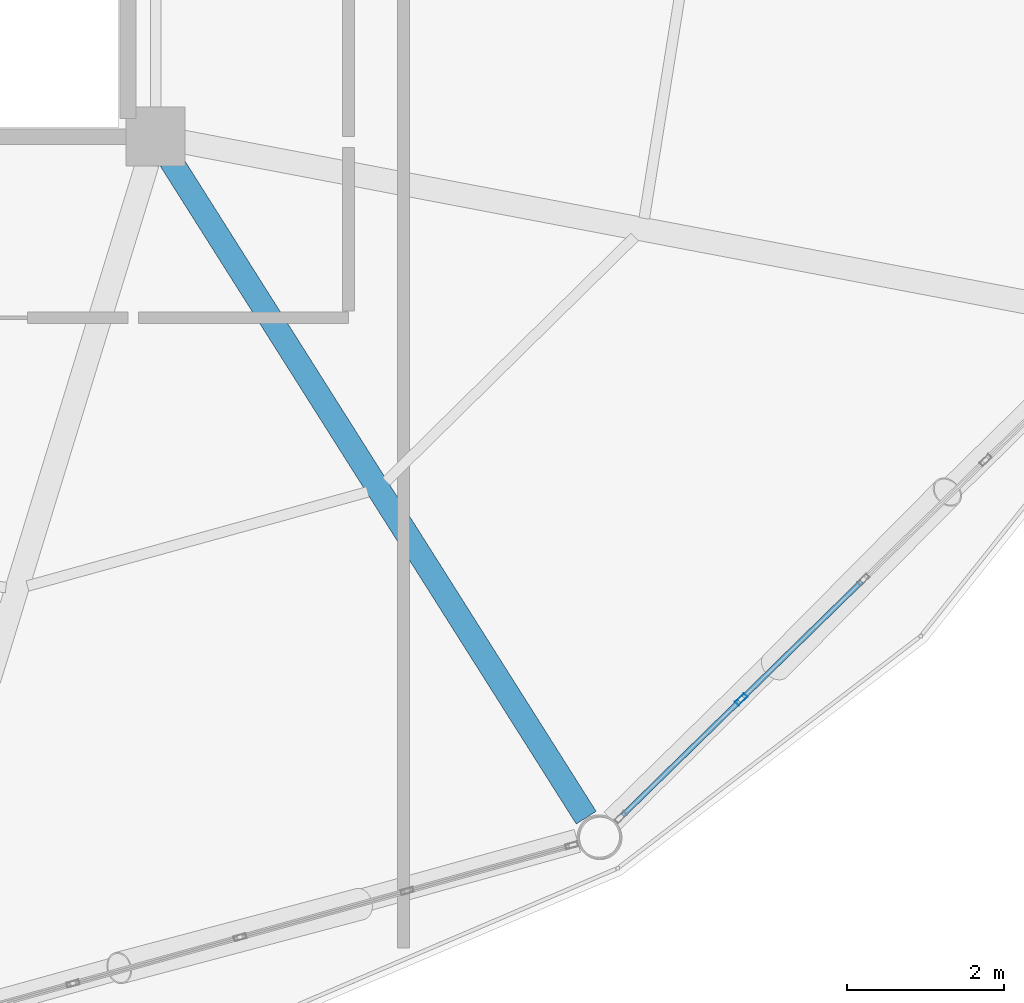
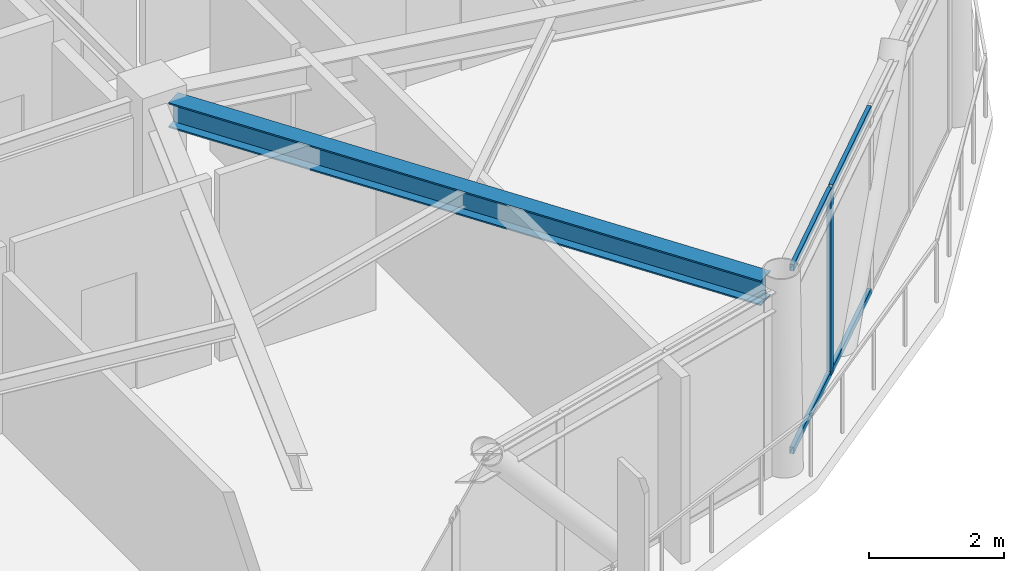
# One storey, part 7 of 25: 5 members, 1 beam, 1 element without a shape of its own.
"""IFC4 building model written with IfcOpenShell, lengths in metres."""

from ifc_helpers import new_model, si_unit, direction, frame, origin, origin_2d, place, context, subcontext, project, spatial, hollow_rectangle, i_section, extrude, material, layer, layer_set, material_profile, profile_set, type_object, element, aggregate, save


model = new_model("IFC4")

# Units and contexts
model_context = context("Model", 3, precision=1e-05, world=origin(), true_north=direction((0.0, 1.0)))
body_context = subcontext(model_context, "Body", "Model", "MODEL_VIEW")
ifc_project = project(units=[si_unit("LENGTHUNIT", "METRE"), si_unit("AREAUNIT", "SQUARE_METRE"), si_unit("VOLUMEUNIT", "CUBIC_METRE"), si_unit("PLANEANGLEUNIT", "RADIAN"), si_unit("MASSUNIT", "GRAM", prefix="KILO")], contexts=[model_context])

# Site, building, storey
site_placement = place(None, origin())
site = spatial("IfcSite", under=ifc_project, at=site_placement, CompositionType="ELEMENT")
building_placement = place(site_placement, origin())
building = spatial("IfcBuilding", under=site, at=building_placement, Name="Varnakorn Sky Granary", CompositionType="ELEMENT")
storey_placement = place(building_placement, frame((0.0, 0.0, 252.60009765625)))
storey = spatial("IfcBuildingStorey", under=building, at=storey_placement, Name="L64", CompositionType="ELEMENT", Elevation=252.60009765625)

# Beam
ifc_material_1 = material(Name="Steel S355JR", Category="steel")
ifc_material_profile_1 = material_profile(ifc_material_1, i_section(OverallWidth=0.300048828125, OverallDepth=0.449951171875, WebThickness=0.013916015625, FlangeThickness=0.02587890625, at=origin_2d()), Name="HE 450 B")
ifc_profile_set_1 = profile_set([ifc_material_profile_1], Name="Steel S355JR")
beam_type = type_object("IfcBeamType", Name="BM-RAD-Z5", PredefinedType="BEAM", material=ifc_profile_set_1)
beam_placement = place(storey_placement, frame((8.539794921875, -6.89990234375, 3.135009765625), z_axis=(0.534435371832, -0.845209342906, 0.0), x_axis=(0.845209342906, 0.534435371832, 0.0)))
element("IfcBeam", 1, at=beam_placement, inside=storey, type_object=beam_type, Name="Radial Floor Girder RG11 L64", PredefinedType="BEAM", context=body_context, shape_type="SweptSolid", body=[
    extrude(i_section(OverallWidth=0.300048828125, OverallDepth=0.449951171875, WebThickness=0.013916015625, FlangeThickness=0.02587890625, at=origin_2d()), origin(), (0.0, 0.0, 1.0), 9.8818359375),
])

# Curtain wall, members
ifc_material_2 = material(Name="Anodised Bronze Aluminium Alloy 6063-T6", Category="aluminium")
ifc_layer = layer(ifc_material_2, 0.159912109375, Name="Anodised Bronze Aluminium Alloy 6063-T6")
ifc_layer_set = layer_set([ifc_layer], Name="Anodised Bronze Aluminium Alloy 6063-T6")
curtain_wall_type = type_object("IfcCurtainWallType", Name="CW-OFF-1", PredefinedType="USERDEFINED", material=ifc_layer_set)
curtain_wall_placement = place(storey_placement, origin())
curtain_wall = element("IfcCurtainWall", 2, at=curtain_wall_placement, inside=storey, type_object=curtain_wall_type, Name="Unitised Curtain Wall CW6 CW-L64-B11", ObjectType="CURTAIN WALL", PredefinedType="USERDEFINED")
ifc_material_profile_2 = material_profile(ifc_material_2, hollow_rectangle(XDim=0.06494140625, YDim=0.159912109375, WallThickness=0.00341796875, at=origin_2d()), Name="ALU MULL 65x160")
ifc_profile_set_2 = profile_set([ifc_material_profile_2], Name="Anodised Bronze Aluminium Alloy 6063-T6")
member_type_1 = type_object("IfcMemberType", Name="CW-OFF-1-MULL", PredefinedType="MULLION", material=ifc_profile_set_2)
member_1_placement = place(storey_placement, frame((15.791015625, -13.748291015625, 0.0), z_axis=(0.0, 0.0, 1.0), x_axis=(0.699482431072, -0.71464979439, 0.0)))
member_1 = element("IfcMember", 3, at=member_1_placement, type_object=member_type_1, Name="CW6 mullion 4", PredefinedType="MULLION", context=body_context, shape_type="SweptSolid", body=[
    extrude(hollow_rectangle(XDim=0.06494140625, YDim=0.159912109375, WallThickness=0.00341796875, at=origin_2d()), origin(), (0.0, 0.0, 1.0), 3.35986328125),
])
ifc_material_profile_3 = material_profile(ifc_material_2, hollow_rectangle(XDim=0.06494140625, YDim=0.1201171875, WallThickness=0.00341796875, at=origin_2d()), Name="ALU TRAN 65x120")
ifc_profile_set_3 = profile_set([ifc_material_profile_3], Name="Anodised Bronze Aluminium Alloy 6063-T6")
member_type_2 = type_object("IfcMemberType", Name="CW-OFF-1-TRAN", PredefinedType="USERDEFINED", material=ifc_profile_set_3)
member_2_placement = place(storey_placement, frame((17.3203125, -12.25146484375, 0.032470703125), z_axis=(-0.714597293426, -0.699536066424, 0.0), x_axis=(0.699536066424, -0.714597293426, 0.0)))
member_2 = element("IfcMember", 4, at=member_2_placement, type_object=member_type_2, Name="CW6 transom 3.1", ObjectType="TRANSOM", PredefinedType="USERDEFINED", context=body_context, shape_type="SweptSolid", body=[
    extrude(hollow_rectangle(XDim=0.06494140625, YDim=0.1201171875, WallThickness=0.00341796875, at=origin_2d()), origin(), (0.0, 0.0, 1.0), 2.107177734375),
])
member_3_placement = place(storey_placement, frame((17.3203125, -12.25146484375, 3.327392578125), z_axis=(-0.714597293426, -0.699536066424, 0.0), x_axis=(0.699536066424, -0.714597293426, 0.0)))
member_3 = element("IfcMember", 5, at=member_3_placement, type_object=member_type_2, Name="CW6 transom 3.2", ObjectType="TRANSOM", PredefinedType="USERDEFINED", context=body_context, shape_type="SweptSolid", body=[
    extrude(hollow_rectangle(XDim=0.06494140625, YDim=0.1201171875, WallThickness=0.00341796875, at=origin_2d()), origin(), (0.0, 0.0, 1.0), 2.107177734375),
])
member_4_placement = place(storey_placement, frame((15.767822265625, -13.77099609375, 0.032470703125), z_axis=(-0.714597426936, -0.69953593004, 0.0), x_axis=(0.69953593004, -0.714597426936, 0.0)))
member_4 = element("IfcMember", 6, at=member_4_placement, type_object=member_type_2, Name="CW6 transom 4.1", ObjectType="TRANSOM", PredefinedType="USERDEFINED", context=body_context, shape_type="SweptSolid", body=[
    extrude(hollow_rectangle(XDim=0.06494140625, YDim=0.1201171875, WallThickness=0.00341796875, at=origin_2d()), origin(), (0.0, 0.0, 1.0), 2.07470703125),
])
member_5_placement = place(storey_placement, frame((15.767822265625, -13.77099609375, 3.327392578125), z_axis=(-0.714597426936, -0.69953593004, 0.0), x_axis=(0.69953593004, -0.714597426936, 0.0)))
member_5 = element("IfcMember", 7, at=member_5_placement, type_object=member_type_2, Name="CW6 transom 4.2", ObjectType="TRANSOM", PredefinedType="USERDEFINED", context=body_context, shape_type="SweptSolid", body=[
    extrude(hollow_rectangle(XDim=0.06494140625, YDim=0.1201171875, WallThickness=0.00341796875, at=origin_2d()), origin(), (0.0, 0.0, 1.0), 2.07470703125),
])
aggregate(curtain_wall, [member_1, member_2, member_3, member_4, member_5])

save(model, "model.ifc")
